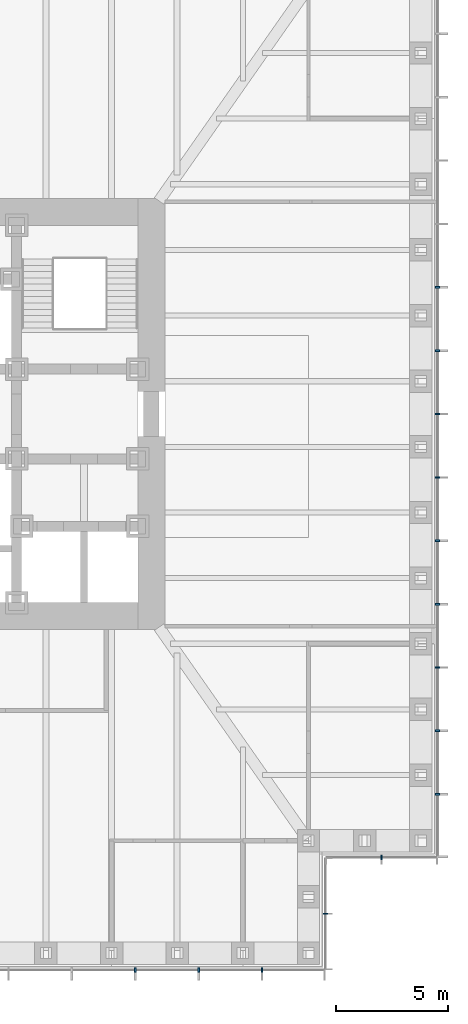
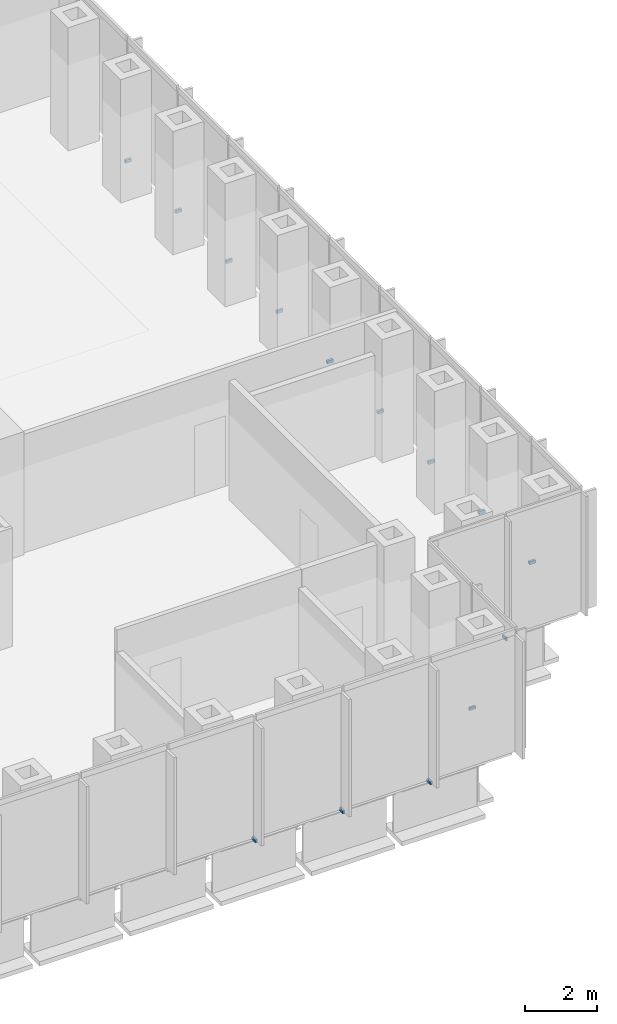
# One storey, part 13 of 16: 14 discrete accessories.
"""IFC4 building model written with IfcOpenShell, lengths in metres."""

from ifc_helpers import new_model, si_unit, direction, frame, origin, origin_2d, place, context, subcontext, project, spatial, rectangle, extrude, element, save


model = new_model("IFC4")

# Units and contexts
model_context = context("Model", 3, precision=1e-05, world=origin(), true_north=direction((0.0, 1.0)))
body_context = subcontext(model_context, "Body", "Model", "MODEL_VIEW")
ifc_project = project(units=[si_unit("LENGTHUNIT", "METRE"), si_unit("AREAUNIT", "SQUARE_METRE"), si_unit("VOLUMEUNIT", "CUBIC_METRE"), si_unit("PLANEANGLEUNIT", "RADIAN"), si_unit("MASSUNIT", "GRAM", prefix="KILO")], contexts=[model_context])

# Site, building, storey
site_placement = place(None, origin())
site = spatial("IfcSite", under=ifc_project, at=site_placement, CompositionType="ELEMENT")
building_placement = place(site_placement, origin())
building = spatial("IfcBuilding", under=site, at=building_placement, Name="Daluyong Arena Tower", CompositionType="ELEMENT")
storey_placement = place(building_placement, frame((0.0, 0.0, 43.300048828125)))
storey = spatial("IfcBuildingStorey", under=building, at=storey_placement, Name="L08", CompositionType="ELEMENT", Elevation=43.300048828125)

# Discrete accessories
for number, where, z_axis, x_axis, name in (
    (1, (67.28564453125, 55.25, -0.10009765625), (0.0, 0.0, 1.0), (1.0, 0.0, 0.0), "curtain wall L08 S anchor bracket 12"),
    (2, (70.107177734375, 55.25, -0.10009765625), (0.0, 0.0, 1.0), (1.0, 0.0, 0.0), "curtain wall L08 S anchor bracket 13"),
    (3, (72.928466796875, 55.25, -0.10009765625), (0.0, 0.0, 1.0), (1.0, 0.0, 0.0), "curtain wall L08 S anchor bracket 14"),
):
    element("IfcDiscreteAccessory", number, at=place(storey_placement, frame(where, z_axis=z_axis, x_axis=x_axis)), inside=storey, Name=name, PredefinedType="BRACKET", context=body_context, shape_type="SweptSolid", body=[
        extrude(rectangle(XDim=0.080078125, YDim=0.199951171875, at=origin_2d()), origin(), (0.0, 0.0, 1.0), 0.10009765625),
    ])
for number, where, z_axis, x_axis, name in (
    (4, (75.75, 57.75, -0.10009765625), (0.0, 0.0, 1.0), (0.0, 1.0, 0.0), "curtain wall L08 SE-E anchor bracket 2"),
    (5, (78.25, 60.25, -0.10009765625), (0.0, 0.0, 1.0), (1.0, 0.0, 0.0), "curtain wall L08 SE-S anchor bracket 2"),
):
    element("IfcDiscreteAccessory", number, at=place(storey_placement, frame(where, z_axis=z_axis, x_axis=x_axis)), inside=storey, Name=name, PredefinedType="BRACKET", context=body_context, shape_type="SweptSolid", body=[
        extrude(rectangle(XDim=0.06005859375, YDim=0.199951171875, at=origin_2d()), origin(), (0.0, 0.0, 1.0), 0.10009765625),
    ])
for number, where, z_axis, x_axis, name in (
    (6, (80.75, 63.071533203125, -0.10009765625), (0.0, 0.0, 1.0), (0.0, 1.0, 0.0), "curtain wall L08 E anchor bracket 2"),
    (7, (80.75, 65.892822265625, -0.10009765625), (0.0, 0.0, 1.0), (0.0, 1.0, 0.0), "curtain wall L08 E anchor bracket 3"),
    (8, (80.75, 68.71435546875, -0.10009765625), (0.0, 0.0, 1.0), (0.0, 1.0, 0.0), "curtain wall L08 E anchor bracket 4"),
    (9, (80.75, 71.53564453125, -0.10009765625), (0.0, 0.0, 1.0), (0.0, 1.0, 0.0), "curtain wall L08 E anchor bracket 5"),
    (10, (80.75, 74.357177734375, -0.10009765625), (0.0, 0.0, 1.0), (0.0, 1.0, 0.0), "curtain wall L08 E anchor bracket 6"),
    (11, (80.75, 77.178466796875, -0.10009765625), (0.0, 0.0, 1.0), (0.0, 1.0, 0.0), "curtain wall L08 E anchor bracket 7"),
    (12, (80.75, 80.0, -0.10009765625), (0.0, 0.0, 1.0), (0.0, 1.0, 0.0), "curtain wall L08 E anchor bracket 8"),
    (13, (80.75, 82.821533203125, -0.10009765625), (0.0, 0.0, 1.0), (0.0, 1.0, 0.0), "curtain wall L08 E anchor bracket 9"),
    (14, (80.75, 85.642822265625, -0.10009765625), (0.0, 0.0, 1.0), (0.0, 1.0, 0.0), "curtain wall L08 E anchor bracket 10"),
):
    element("IfcDiscreteAccessory", number, at=place(storey_placement, frame(where, z_axis=z_axis, x_axis=x_axis)), inside=storey, Name=name, PredefinedType="BRACKET", context=body_context, shape_type="SweptSolid", body=[
        extrude(rectangle(XDim=0.080078125, YDim=0.199951171875, at=origin_2d()), origin(), (0.0, 0.0, 1.0), 0.10009765625),
    ])

save(model, "model.ifc")
